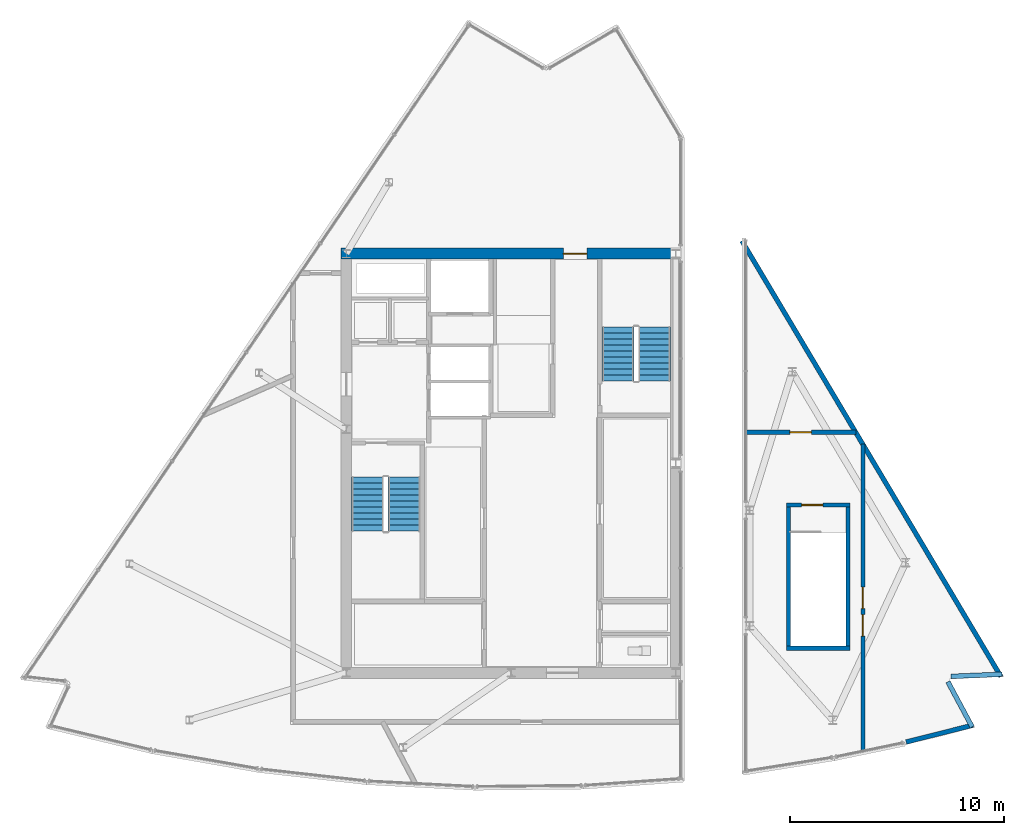
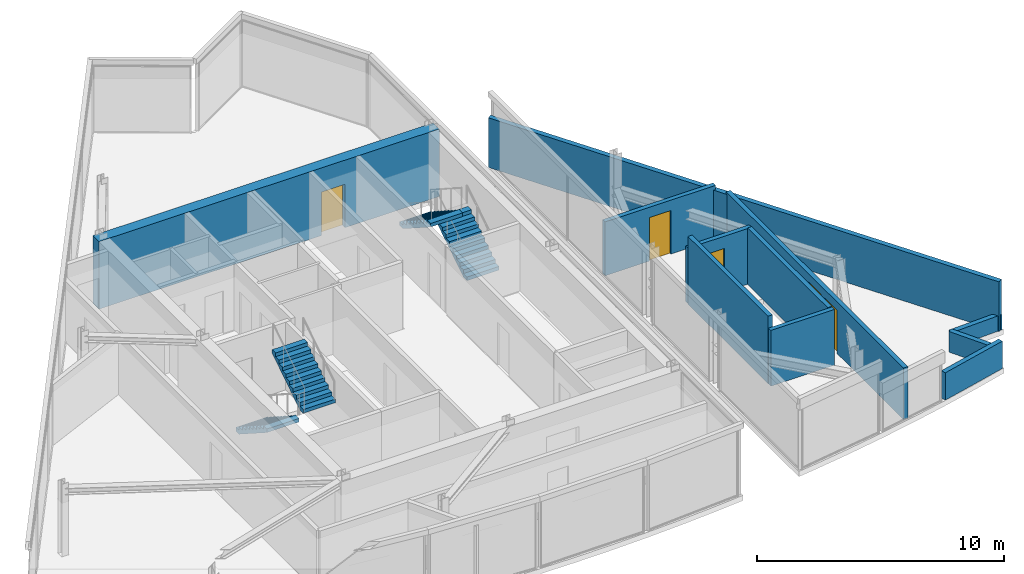
# One storey, part 9 of 13: 11 walls, 5 doors, 4 stair flights, 5 openings, 2 elements without a shape of their own.
"""IFC4 building model written with IfcOpenShell, lengths in metres."""

from ifc_helpers import new_model, si_unit, direction, frame, frame_2d, origin, place, context, subcontext, project, spatial, polyline, rectangle, outline, extrude, material, layer, layer_set, type_object, element, fill, aggregate, save


model = new_model("IFC4")

# Units and contexts
model_context = context("Model", 3, precision=1e-05, world=origin(), true_north=direction((0.0, 1.0)))
body_context = subcontext(model_context, "Body", "Model", "MODEL_VIEW")
ifc_project = project(units=[si_unit("LENGTHUNIT", "METRE"), si_unit("AREAUNIT", "SQUARE_METRE"), si_unit("VOLUMEUNIT", "CUBIC_METRE"), si_unit("PLANEANGLEUNIT", "RADIAN"), si_unit("MASSUNIT", "GRAM", prefix="KILO")], contexts=[model_context])

# Site, building, storey
site_placement = place(None, origin())
site = spatial("IfcSite", under=ifc_project, at=site_placement, CompositionType="ELEMENT")
building_placement = place(site_placement, origin())
building = spatial("IfcBuilding", under=site, at=building_placement, Name="Savorim Split Tower", CompositionType="ELEMENT")
storey_placement = place(building_placement, frame((0.0, 0.0, 312.0)))
storey = spatial("IfcBuildingStorey", under=building, at=storey_placement, Name="Crown L83 Plant", CompositionType="ELEMENT", Elevation=312.0)

# Wall, opening, door
ifc_material_1 = material(Name="Concrete C60/75", Category="concrete")
ifc_layer_1 = layer(ifc_material_1, 0.5)
ifc_layer_set_1 = layer_set([ifc_layer_1], Name="WAL-COR-SH500")
wall_type_1 = type_object("IfcWallType", Name="WAL-COR-SH500", PredefinedType="SHEAR", material=ifc_layer_set_1)
wall_1_placement = place(storey_placement, frame((7.949951171875, 10.199951171875, 0.0), z_axis=(0.0, 0.0, 1.0), x_axis=(-1.0, 0.0, 0.0)))
wall_1 = element("IfcWall", 1, at=wall_1_placement, inside=storey, type_object=wall_type_1, Name="Crown L83 Plant Offset Core North Shear Wall", PredefinedType="SHEAR", context=body_context, shape_type="SweptSolid", body=[
    extrude(rectangle(XDim=15.89990234375, YDim=0.5, at=frame_2d((7.949951171875, 0.0))), origin(), (0.0, 0.0, 1.0), 3.340087890625),
])
opening_1_placement = place(wall_1_placement, frame((4.39990234375, 0.0, 0.0)))
opening_1 = element("IfcOpeningElement", 2, at=opening_1_placement, cuts=wall_1, Name="Opening DI-03", PredefinedType="OPENING", context=body_context, shape_type="SweptSolid", body=[
    extrude(rectangle(XDim=1.10009765625, YDim=2.14990234375, at=frame_2d((0.550048828125, 1.074951171875))), frame((0.0, 0.260009765625, 0.0), z_axis=(0.0, -1.0, 0.0), x_axis=(1.0, 0.0, 0.0)), (0.0, 0.0, 1.0), 0.52001953125),
])
ifc_material_2 = material(Name="Timber Fire Door Leaf", Category="wood")
door_type_1 = type_object("IfcDoorType", Name="DOR-FIR-1100", OperationType="NOTDEFINED", PredefinedType="DOOR", material=ifc_material_2)
door_1_placement = place(opening_1_placement, origin())
door_1 = element("IfcDoor", 3, at=door_1_placement, inside=storey, type_object=door_type_1, Name="DOR-Crown-L83-Plant-COR-NLOB - Crown L83 Plant North Corridor Lobby Fire Door", OperationType="SINGLE_SWING_RIGHT", OverallHeight=2.14990234375, OverallWidth=1.10009765625, PredefinedType="DOOR", context=body_context, shape_type="SweptSolid", body=[
    extrude(rectangle(XDim=1.10009765625, YDim=2.14990234375, at=frame_2d((0.550048828125, 1.074951171875))), frame((0.0, 0.02490234375, 0.0), z_axis=(0.0, -1.0, 0.0), x_axis=(1.0, 0.0, 0.0)), (0.0, 0.0, 1.0), 0.050048828125),
])
fill(opening_1, door_1)

# Walls
ifc_material_3 = material(Name="Precast concrete C40/50", Category="concrete")
ifc_layer_2 = layer(ifc_material_3, 0.219970703125)
ifc_layer_set_2 = layer_set([ifc_layer_2], Name="WAL-EXT-CRN220")
wall_type_2 = type_object("IfcWallType", Name="WAL-EXT-CRN220", PredefinedType="SOLIDWALL", material=ifc_layer_set_2)
wall_2_placement = place(storey_placement, frame((21.5908203125, -11.845458984375, 0.0), z_axis=(0.0, 0.0, 1.0), x_axis=(-0.969999506412, -0.243106885055, 0.0)))
element("IfcWall", 4, at=wall_2_placement, inside=storey, type_object=wall_type_2, Name="Crown L83 Plant Sloped Crest Eaves Wall E4", PredefinedType="SOLIDWALL", context=body_context, shape_type="SweptSolid", body=[
    extrude(rectangle(XDim=3.217529296875, YDim=0.219970703125, at=frame_2d((1.60888671875, 0.0))), origin(), (0.0, 0.0, 1.0), 1.352783203125),
])
wall_3_placement = place(storey_placement, frame((20.41943359375, -9.814208984375, 0.0), z_axis=(0.0, 0.0, 1.0), x_axis=(0.472788803636, -0.881175775402, 0.0)))
element("IfcWall", 5, at=wall_3_placement, inside=storey, type_object=wall_type_2, Name="Crown L83 Plant Sloped Crest Eaves Wall E5", PredefinedType="SOLIDWALL", context=body_context, shape_type="SweptSolid", body=[
    extrude(rectangle(XDim=2.399658203125, YDim=0.219970703125, at=frame_2d((1.19970703125, 0.0))), origin(), (0.0, 0.0, 1.0), 1.022705078125),
])
wall_4_placement = place(storey_placement, frame((22.957275390625, -9.4619140625, 0.0), z_axis=(0.0, 0.0, 1.0), x_axis=(-0.999097772539, -0.042469293695, 0.0)))
element("IfcWall", 6, at=wall_4_placement, inside=storey, type_object=wall_type_2, Name="Crown L83 Plant Sloped Crest Eaves Wall E6", PredefinedType="SOLIDWALL", context=body_context, shape_type="SweptSolid", body=[
    extrude(rectangle(XDim=2.397216796875, YDim=0.219970703125, at=frame_2d((1.19873046875, 0.0))), origin(), (0.0, 0.0, 1.0), 0.756103515625),
])
wall_5_placement = place(storey_placement, frame((10.78759765625, 10.7958984375, 0.0), z_axis=(0.0, 0.0, 1.0), x_axis=(0.511091645531, -0.859526224073, 0.0)))
element("IfcWall", 7, at=wall_5_placement, inside=storey, type_object=wall_type_2, Name="Crown L83 Plant Sloped Crest Eaves Wall E7", PredefinedType="SOLIDWALL", context=body_context, shape_type="SweptSolid", body=[
    extrude(rectangle(XDim=23.695556640625, YDim=0.219970703125, at=frame_2d((11.84765625, 0.0))), origin(), (0.0, 0.0, 1.0), 2.452392578125),
])
ifc_material_4 = material(Name="Concrete C50/60", Category="concrete")
ifc_layer_3 = layer(ifc_material_4, 0.199951171875)
ifc_layer_set_3 = layer_set([ifc_layer_3], Name="WAL-INT-RC200")
wall_type_3 = type_object("IfcWallType", Name="WAL-INT-RC200", PredefinedType="SOLIDWALL", material=ifc_layer_set_3)
wall_6_placement = place(storey_placement, frame((12.8798828125, -8.25, 0.0), z_axis=(0.0, 0.0, 1.0), x_axis=(1.0, 0.0, 0.0)))
element("IfcWall", 8, at=wall_6_placement, inside=storey, type_object=wall_type_3, Name="Crown L83 Plant Structural Shaft Wall W-Crown-L83-Plant-STCES", PredefinedType="SOLIDWALL", context=body_context, shape_type="SweptSolid", body=[
    extrude(rectangle(XDim=2.97021484375, YDim=0.199951171875, at=frame_2d((1.485107421875, 0.0))), origin(), (0.0, 0.0, 1.0), 2.7548828125),
])

# Wall, opening, door
wall_7_placement = place(storey_placement, frame((12.8798828125, -1.550048828125, 0.0), z_axis=(0.0, 0.0, 1.0), x_axis=(1.0, 0.0, 0.0)))
wall_7 = element("IfcWall", 9, at=wall_7_placement, inside=storey, type_object=wall_type_3, Name="Crown L83 Plant Structural Shaft Wall W-Crown-L83-Plant-STCEN", PredefinedType="SOLIDWALL", context=body_context, shape_type="SweptSolid", body=[
    extrude(rectangle(XDim=2.97021484375, YDim=0.199951171875, at=frame_2d((1.485107421875, 0.0))), origin(), (0.0, 0.0, 1.0), 2.7548828125),
])
opening_2_placement = place(wall_7_placement, frame((0.699951171875, 0.0, 0.0)))
opening_2 = element("IfcOpeningElement", 10, at=opening_2_placement, cuts=wall_7, Name="Opening DI-04", PredefinedType="OPENING", context=body_context, shape_type="SweptSolid", body=[
    extrude(rectangle(XDim=1.0, YDim=2.14990234375, at=frame_2d((0.5, 1.074951171875))), frame((0.0, 0.10986328125, 0.0), z_axis=(0.0, -1.0, 0.0), x_axis=(1.0, 0.0, 0.0)), (0.0, 0.0, 1.0), 0.219970703125),
])
door_type_2 = type_object("IfcDoorType", Name="DOR-FIR-1000", OperationType="NOTDEFINED", PredefinedType="DOOR", material=ifc_material_2)
door_2_placement = place(opening_2_placement, origin())
door_2 = element("IfcDoor", 11, at=door_2_placement, inside=storey, type_object=door_type_2, Name="DR-Crown-L83-Plant-STCE - Crown L83 Plant East Crown Stair Door", OperationType="SINGLE_SWING_RIGHT", OverallHeight=2.14990234375, OverallWidth=1.0, PredefinedType="DOOR", context=body_context, shape_type="SweptSolid", body=[
    extrude(rectangle(XDim=1.0, YDim=2.14990234375, at=frame_2d((0.5, 1.074951171875))), frame((0.0, 0.02490234375, 0.0), z_axis=(0.0, -1.0, 0.0), x_axis=(1.0, 0.0, 0.0)), (0.0, 0.0, 1.0), 0.050048828125),
])
fill(opening_2, door_2)

# Walls
wall_8_placement = place(storey_placement, frame((12.969970703125, -8.14990234375, 0.0), z_axis=(0.0, 0.0, 1.0), x_axis=(0.0, 1.0, 0.0)))
element("IfcWall", 12, at=wall_8_placement, inside=storey, type_object=wall_type_3, Name="Crown L83 Plant Structural Shaft Wall W-Crown-L83-Plant-STCEW", PredefinedType="SOLIDWALL", context=body_context, shape_type="SweptSolid", body=[
    extrude(rectangle(XDim=6.5, YDim=0.199951171875, at=frame_2d((3.25, 0.0))), origin(), (0.0, 0.0, 1.0), 3.340087890625),
])
wall_9_placement = place(storey_placement, frame((15.75, -8.14990234375, 0.0), z_axis=(0.0, 0.0, 1.0), x_axis=(0.0, 1.0, 0.0)))
element("IfcWall", 13, at=wall_9_placement, inside=storey, type_object=wall_type_3, Name="Crown L83 Plant Structural Shaft Wall W-Crown-L83-Plant-STCEE", PredefinedType="SOLIDWALL", context=body_context, shape_type="SweptSolid", body=[
    extrude(rectangle(XDim=6.5, YDim=0.199951171875, at=frame_2d((3.25, 0.0))), origin(), (0.0, 0.0, 1.0), 2.78955078125),
])

# Wall, openings, doors
wall_10_placement = place(storey_placement, frame((16.449951171875, -13.07470703125, 0.0), z_axis=(0.0, 0.0, 1.0), x_axis=(0.0, 1.0, 0.0)))
wall_10 = element("IfcWall", 14, at=wall_10_placement, inside=storey, type_object=wall_type_3, Name="Crown L83 Plant Partition W-Crown-L83-Plant-ECE", PredefinedType="SOLIDWALL", context=body_context, shape_type="SweptSolid", body=[
    extrude(rectangle(XDim=14.36767578125, YDim=0.199951171875, at=frame_2d((7.183837890625, 0.0))), origin(), (0.0, 0.0, 1.0), 2.548095703125),
])
opening_3_placement = place(wall_10_placement, frame((5.398681640625, 0.0, 0.0)))
opening_3 = element("IfcOpeningElement", 15, at=opening_3_placement, cuts=wall_10, Name="Opening DI-04", PredefinedType="OPENING", context=body_context, shape_type="SweptSolid", body=[
    extrude(rectangle(XDim=1.0, YDim=2.14990234375, at=frame_2d((0.5, 1.074951171875))), frame((0.0, 0.10986328125, 0.0), z_axis=(0.0, -1.0, 0.0), x_axis=(1.0, 0.0, 0.0)), (0.0, 0.0, 1.0), 0.219970703125),
])
opening_4_placement = place(wall_10_placement, frame((6.679931640625, 0.0, 0.0)))
opening_4 = element("IfcOpeningElement", 16, at=opening_4_placement, cuts=wall_10, Name="Opening DI-04", PredefinedType="OPENING", context=body_context, shape_type="SweptSolid", body=[
    extrude(rectangle(XDim=1.0, YDim=2.14990234375, at=frame_2d((0.5, 1.074951171875))), frame((0.0, 0.10986328125, 0.0), z_axis=(0.0, -1.0, 0.0), x_axis=(1.0, 0.0, 0.0)), (0.0, 0.0, 1.0), 0.219970703125),
])
door_3_placement = place(opening_3_placement, origin())
door_3 = element("IfcDoor", 17, at=door_3_placement, inside=storey, type_object=door_type_2, Name="DR-Crown-L83-Plant-ERM01 - Crown L83 Plant East Cooling Plant Room Entry Door", OperationType="SINGLE_SWING_RIGHT", OverallHeight=2.14990234375, OverallWidth=1.0, PredefinedType="DOOR", context=body_context, shape_type="SweptSolid", body=[
    extrude(rectangle(XDim=1.0, YDim=2.14990234375, at=frame_2d((0.5, 1.074951171875))), frame((0.0, 0.02490234375, 0.0), z_axis=(0.0, -1.0, 0.0), x_axis=(1.0, 0.0, 0.0)), (0.0, 0.0, 1.0), 0.050048828125),
])
fill(opening_3, door_3)
door_4_placement = place(opening_4_placement, origin())
door_4 = element("IfcDoor", 18, at=door_4_placement, inside=storey, type_object=door_type_2, Name="DR-Crown-L83-Plant-ERM02 - Crown L83 Plant East Heat Recovery AHU Plant Room Entry Door", OperationType="SINGLE_SWING_LEFT", OverallHeight=2.14990234375, OverallWidth=1.0, PredefinedType="DOOR", context=body_context, shape_type="SweptSolid", body=[
    extrude(rectangle(XDim=1.0, YDim=2.14990234375, at=frame_2d((0.5, 1.074951171875))), frame((0.0, 0.02490234375, 0.0), z_axis=(0.0, -1.0, 0.0), x_axis=(1.0, 0.0, 0.0)), (0.0, 0.0, 1.0), 0.050048828125),
])
fill(opening_4, door_4)

# Wall, opening, door
wall_11_placement = place(storey_placement, frame((10.9599609375, 1.85009765625, 0.0), z_axis=(0.0, 0.0, 1.0), x_axis=(1.0, 0.0, 0.0)))
wall_11 = element("IfcWall", 19, at=wall_11_placement, inside=storey, type_object=wall_type_3, Name="Crown L83 Plant Partition W-Crown-L83-Plant-ECN", PredefinedType="SOLIDWALL", context=body_context, shape_type="SweptSolid", body=[
    extrude(rectangle(XDim=5.15869140625, YDim=0.199951171875, at=frame_2d((2.579345703125, 0.0))), origin(), (0.0, 0.0, 1.0), 2.662353515625),
])
opening_5_placement = place(wall_11_placement, frame((2.079345703125, 0.0, 0.0)))
opening_5 = element("IfcOpeningElement", 20, at=opening_5_placement, cuts=wall_11, Name="Opening DI-04", PredefinedType="OPENING", context=body_context, shape_type="SweptSolid", body=[
    extrude(rectangle(XDim=1.0, YDim=2.14990234375, at=frame_2d((0.5, 1.074951171875))), frame((0.0, 0.10986328125, 0.0), z_axis=(0.0, -1.0, 0.0), x_axis=(1.0, 0.0, 0.0)), (0.0, 0.0, 1.0), 0.219970703125),
])
door_5_placement = place(opening_5_placement, origin())
door_5 = element("IfcDoor", 21, at=door_5_placement, inside=storey, type_object=door_type_2, Name="DR-Crown-L83-Plant-ERM03 - Crown L83 Plant East Cooling Plant Room Entry Door", OperationType="SINGLE_SWING_RIGHT", OverallHeight=2.14990234375, OverallWidth=1.0, PredefinedType="DOOR", context=body_context, shape_type="SweptSolid", body=[
    extrude(rectangle(XDim=1.0, YDim=2.14990234375, at=frame_2d((0.5, 1.074951171875))), frame((0.0, 0.02490234375, 0.0), z_axis=(0.0, -1.0, 0.0), x_axis=(1.0, 0.0, 0.0)), (0.0, 0.0, 1.0), 0.050048828125),
])
fill(opening_5, door_5)

# Stair, stair flights
stair_type = type_object("IfcStairType", Name="STR-DOG-3600", PredefinedType="HALF_TURN_STAIR", material=ifc_material_4)
stair_1_placement = place(storey_placement, origin())
stair_1 = element("IfcStair", 22, at=stair_1_placement, inside=storey, type_object=stair_type, Name="Crown L83 Plant Core Protected Exit Stair ST-1", PredefinedType="HALF_TURN_STAIR")
stair_flight_type = type_object("IfcStairFlightType", Name="SFL-DOG-3600", PredefinedType="STRAIGHT", material=ifc_material_4)
stair_flight_1_placement = place(storey_placement, frame((-6.699951171875, -0.25, 0.0), z_axis=(0.0, 0.0, 1.0), x_axis=(0.0, -1.0, 0.0)))
stair_flight_1 = element("IfcStairFlight", 23, at=stair_flight_1_placement, type_object=stair_flight_type, Name="ST-1 flight 1", NumberOfRisers=10, NumberOfTreads=9, PredefinedType="STRAIGHT", RiserHeight=0.18, TreadLength=0.28, context=body_context, shape_type="SweptSolid", body=[
    extrude(outline(polyline([(0.0, 0.0), (0.0, 0.179931640625), (0.280029296875, 0.179931640625), (0.280029296875, 0.360107421875), (0.56005859375, 0.360107421875), (0.56005859375, 0.5400390625), (0.840087890625, 0.5400390625), (0.840087890625, 0.719970703125), (1.1201171875, 0.719970703125), (1.1201171875, 0.89990234375), (1.39990234375, 0.89990234375), (1.39990234375, 1.080078125), (1.679931640625, 1.080078125), (1.679931640625, 1.260009765625), (1.9599609375, 1.260009765625), (1.9599609375, 1.43994140625), (2.239990234375, 1.43994140625), (2.239990234375, 1.6201171875), (2.52001953125, 1.6201171875), (2.52001953125, 1.800048828125), (2.52001953125, 1.44189453125), (0.277099609375, 0.0), (0.0, 0.0)])), frame((0.0, 0.75, 0.0), z_axis=(0.0, -1.0, 0.0), x_axis=(1.0, 0.0, 0.0)), (0.0, 0.0, 1.0), 1.5),
])
stair_flight_2_placement = place(storey_placement, frame((-5.0, -2.77001953125, 1.800048828125), z_axis=(0.0, 0.0, 1.0), x_axis=(0.0, 1.0, 0.0)))
stair_flight_2 = element("IfcStairFlight", 24, at=stair_flight_2_placement, type_object=stair_flight_type, Name="ST-1 flight 2", NumberOfRisers=10, NumberOfTreads=9, PredefinedType="STRAIGHT", RiserHeight=0.18, TreadLength=0.28, context=body_context, shape_type="SweptSolid", body=[
    extrude(outline(polyline([(0.0, 0.0), (0.0, 0.179931640625), (0.280029296875, 0.179931640625), (0.280029296875, 0.360107421875), (0.56005859375, 0.360107421875), (0.56005859375, 0.5400390625), (0.840087890625, 0.5400390625), (0.840087890625, 0.719970703125), (1.1201171875, 0.719970703125), (1.1201171875, 0.89990234375), (1.39990234375, 0.89990234375), (1.39990234375, 1.080078125), (1.679931640625, 1.080078125), (1.679931640625, 1.260009765625), (1.9599609375, 1.260009765625), (1.9599609375, 1.43994140625), (2.239990234375, 1.43994140625), (2.239990234375, 1.6201171875), (2.52001953125, 1.6201171875), (2.52001953125, 1.800048828125), (2.52001953125, 1.44189453125), (0.277099609375, 0.0), (0.0, 0.0)])), frame((0.0, 0.75, 0.0), z_axis=(0.0, -1.0, 0.0), x_axis=(1.0, 0.0, 0.0)), (0.0, 0.0, 1.0), 1.5),
])
aggregate(stair_1, [stair_flight_1, stair_flight_2])

stair_2_placement = place(storey_placement, origin())
stair_2 = element("IfcStair", 25, at=stair_2_placement, inside=storey, type_object=stair_type, Name="Crown L83 Plant Core Protected Exit Stair ST-2", PredefinedType="HALF_TURN_STAIR")
stair_flight_3_placement = place(storey_placement, frame((6.699951171875, 4.25, 0.0), z_axis=(0.0, 0.0, 1.0), x_axis=(0.0, 1.0, 0.0)))
stair_flight_3 = element("IfcStairFlight", 26, at=stair_flight_3_placement, type_object=stair_flight_type, Name="ST-2 flight 1", NumberOfRisers=10, NumberOfTreads=9, PredefinedType="STRAIGHT", RiserHeight=0.18, TreadLength=0.28, context=body_context, shape_type="SweptSolid", body=[
    extrude(outline(polyline([(0.0, 0.0), (0.0, 0.179931640625), (0.280029296875, 0.179931640625), (0.280029296875, 0.360107421875), (0.56005859375, 0.360107421875), (0.56005859375, 0.5400390625), (0.840087890625, 0.5400390625), (0.840087890625, 0.719970703125), (1.1201171875, 0.719970703125), (1.1201171875, 0.89990234375), (1.39990234375, 0.89990234375), (1.39990234375, 1.080078125), (1.679931640625, 1.080078125), (1.679931640625, 1.260009765625), (1.9599609375, 1.260009765625), (1.9599609375, 1.43994140625), (2.239990234375, 1.43994140625), (2.239990234375, 1.6201171875), (2.52001953125, 1.6201171875), (2.52001953125, 1.800048828125), (2.52001953125, 1.44189453125), (0.277099609375, 0.0), (0.0, 0.0)])), frame((0.0, 0.75, 0.0), z_axis=(0.0, -1.0, 0.0), x_axis=(1.0, 0.0, 0.0)), (0.0, 0.0, 1.0), 1.5),
])
stair_flight_4_placement = place(storey_placement, frame((5.0, 6.77001953125, 1.800048828125), z_axis=(0.0, 0.0, 1.0), x_axis=(0.0, -1.0, 0.0)))
stair_flight_4 = element("IfcStairFlight", 27, at=stair_flight_4_placement, type_object=stair_flight_type, Name="ST-2 flight 2", NumberOfRisers=10, NumberOfTreads=9, PredefinedType="STRAIGHT", RiserHeight=0.18, TreadLength=0.28, context=body_context, shape_type="SweptSolid", body=[
    extrude(outline(polyline([(0.0, 0.0), (0.0, 0.179931640625), (0.280029296875, 0.179931640625), (0.280029296875, 0.360107421875), (0.56005859375, 0.360107421875), (0.56005859375, 0.5400390625), (0.840087890625, 0.5400390625), (0.840087890625, 0.719970703125), (1.1201171875, 0.719970703125), (1.1201171875, 0.89990234375), (1.39990234375, 0.89990234375), (1.39990234375, 1.080078125), (1.679931640625, 1.080078125), (1.679931640625, 1.260009765625), (1.9599609375, 1.260009765625), (1.9599609375, 1.43994140625), (2.239990234375, 1.43994140625), (2.239990234375, 1.6201171875), (2.52001953125, 1.6201171875), (2.52001953125, 1.800048828125), (2.52001953125, 1.44189453125), (0.277099609375, 0.0), (0.0, 0.0)])), frame((0.0, 0.75, 0.0), z_axis=(0.0, -1.0, 0.0), x_axis=(1.0, 0.0, 0.0)), (0.0, 0.0, 1.0), 1.5),
])
aggregate(stair_2, [stair_flight_3, stair_flight_4])

save(model, "model.ifc")
